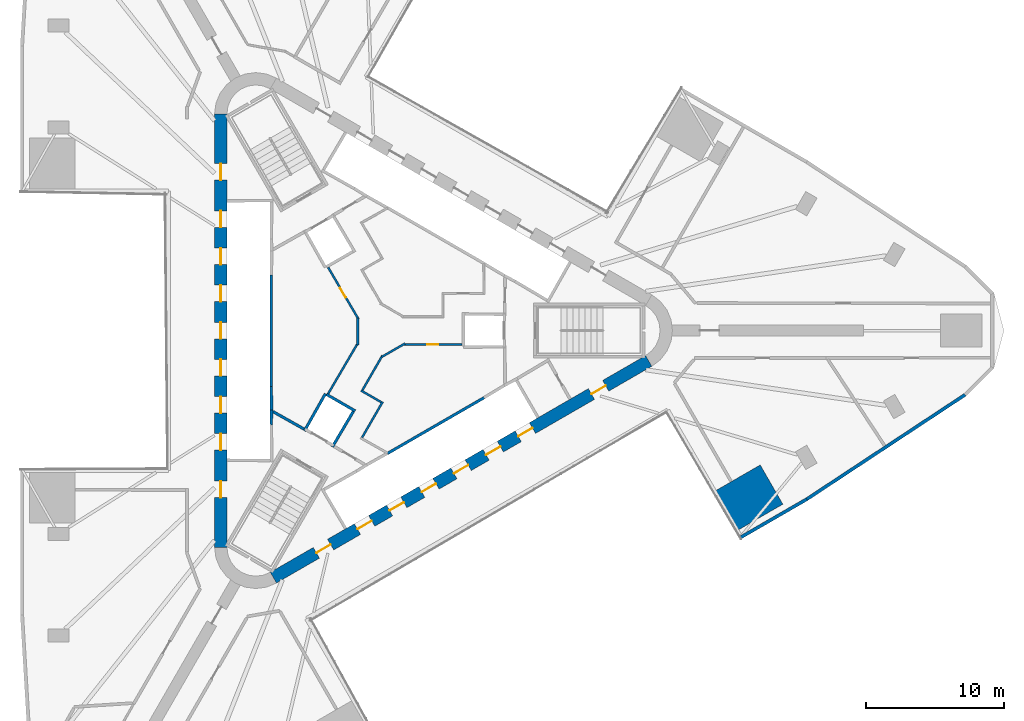
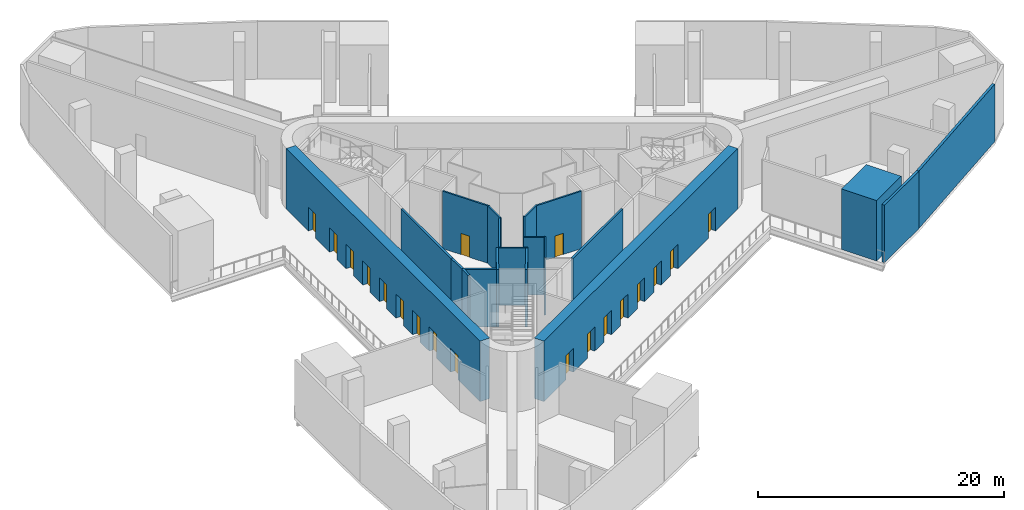
# One storey, part 4 of 11: 21 walls, 19 doors, 19 openings.
"""IFC4 building model written with IfcOpenShell, lengths in metres."""

from ifc_helpers import new_model, si_unit, direction, frame, frame_2d, origin, place, context, subcontext, project, spatial, polyline, rectangle, outline, extrude, material, layer, layer_set, type_object, element, fill, save


model = new_model("IFC4")

# Units and contexts
model_context = context("Model", 3, precision=1e-05, world=origin(), true_north=direction((0.0, 1.0)))
body_context = subcontext(model_context, "Body", "Model", "MODEL_VIEW")
ifc_project = project(units=[si_unit("LENGTHUNIT", "METRE"), si_unit("AREAUNIT", "SQUARE_METRE"), si_unit("VOLUMEUNIT", "CUBIC_METRE"), si_unit("PLANEANGLEUNIT", "RADIAN"), si_unit("MASSUNIT", "GRAM", prefix="KILO")], contexts=[model_context])

# Site, building, storey
site_placement = place(None, origin())
site = spatial("IfcSite", under=ifc_project, at=site_placement, CompositionType="ELEMENT")
building_placement = place(site_placement, origin())
building = spatial("IfcBuilding", under=site, at=building_placement, Name="Tanit Gate Tower", CompositionType="ELEMENT")
storey_placement = place(building_placement, frame((0.0, 0.0, 21.5)))
storey = spatial("IfcBuildingStorey", under=building, at=storey_placement, Name="L03", CompositionType="ELEMENT", Elevation=21.5)

# Wall, openings, doors
ifc_material_1 = material(Name="Concrete C60/75", Category="concrete")
ifc_layer_1 = layer(ifc_material_1, 0.89990234375)
ifc_layer_set_1 = layer_set([ifc_layer_1], Name="CORE WALL 900 C60/75")
wall_type_1 = type_object("IfcWallType", Name="CORE WALL 900 C60/75", PredefinedType="SHEAR", material=ifc_layer_set_1)
wall_1_placement = place(storey_placement, frame((-11.64990234375, 15.76171875, 0.0), z_axis=(0.0, 0.0, 1.0), x_axis=(0.0, -1.0, 0.0)))
wall_1 = element("IfcWall", 1, at=wall_1_placement, inside=storey, type_object=wall_type_1, Name="CORE WALL", PredefinedType="SHEAR", context=body_context, shape_type="SweptSolid", body=[
    extrude(rectangle(XDim=31.5234375, YDim=0.89990234375, at=frame_2d((15.76171875, 0.0))), origin(), (0.0, 0.0, 1.0), 6.0),
])
opening_1_placement = place(wall_1_placement, frame((7.061767578125, 0.0, 0.0)))
opening_1 = element("IfcOpeningElement", 2, at=opening_1_placement, cuts=wall_1, Name="Opening LDLL1-03", PredefinedType="OPENING", context=body_context, shape_type="SweptSolid", body=[
    extrude(rectangle(XDim=1.199951171875, YDim=2.39990234375, at=frame_2d((0.60009765625, 1.199951171875))), frame((0.0, 0.4599609375, 0.0), z_axis=(0.0, -1.0, 0.0), x_axis=(1.0, 0.0, 0.0)), (0.0, 0.0, 1.0), 0.919921875),
])
opening_2_placement = place(wall_1_placement, frame((9.76171875, 0.0, 0.0)))
opening_2 = element("IfcOpeningElement", 3, at=opening_2_placement, cuts=wall_1, Name="Opening LDLL2-03", PredefinedType="OPENING", context=body_context, shape_type="SweptSolid", body=[
    extrude(rectangle(XDim=1.199951171875, YDim=2.39990234375, at=frame_2d((0.60009765625, 1.199951171875))), frame((0.0, 0.4599609375, 0.0), z_axis=(0.0, -1.0, 0.0), x_axis=(1.0, 0.0, 0.0)), (0.0, 0.0, 1.0), 0.919921875),
])
opening_3_placement = place(wall_1_placement, frame((12.461669921875, 0.0, 0.0)))
opening_3 = element("IfcOpeningElement", 4, at=opening_3_placement, cuts=wall_1, Name="Opening LDLL3-03", PredefinedType="OPENING", context=body_context, shape_type="SweptSolid", body=[
    extrude(rectangle(XDim=1.199951171875, YDim=2.39990234375, at=frame_2d((0.60009765625, 1.199951171875))), frame((0.0, 0.4599609375, 0.0), z_axis=(0.0, -1.0, 0.0), x_axis=(1.0, 0.0, 0.0)), (0.0, 0.0, 1.0), 0.919921875),
])
opening_4_placement = place(wall_1_placement, frame((15.16162109375, 0.0, 0.0)))
opening_4 = element("IfcOpeningElement", 5, at=opening_4_placement, cuts=wall_1, Name="Opening LDLL4-03", PredefinedType="OPENING", context=body_context, shape_type="SweptSolid", body=[
    extrude(rectangle(XDim=1.199951171875, YDim=2.39990234375, at=frame_2d((0.60009765625, 1.199951171875))), frame((0.0, 0.4599609375, 0.0), z_axis=(0.0, -1.0, 0.0), x_axis=(1.0, 0.0, 0.0)), (0.0, 0.0, 1.0), 0.919921875),
])
opening_5_placement = place(wall_1_placement, frame((17.86181640625, 0.0, 0.0)))
opening_5 = element("IfcOpeningElement", 6, at=opening_5_placement, cuts=wall_1, Name="Opening LDLL5-03", PredefinedType="OPENING", context=body_context, shape_type="SweptSolid", body=[
    extrude(rectangle(XDim=1.199951171875, YDim=2.39990234375, at=frame_2d((0.60009765625, 1.199951171875))), frame((0.0, 0.4599609375, 0.0), z_axis=(0.0, -1.0, 0.0), x_axis=(1.0, 0.0, 0.0)), (0.0, 0.0, 1.0), 0.919921875),
])
opening_6_placement = place(wall_1_placement, frame((20.561767578125, 0.0, 0.0)))
opening_6 = element("IfcOpeningElement", 7, at=opening_6_placement, cuts=wall_1, Name="Opening LDLL6-03", PredefinedType="OPENING", context=body_context, shape_type="SweptSolid", body=[
    extrude(rectangle(XDim=1.199951171875, YDim=2.39990234375, at=frame_2d((0.60009765625, 1.199951171875))), frame((0.0, 0.4599609375, 0.0), z_axis=(0.0, -1.0, 0.0), x_axis=(1.0, 0.0, 0.0)), (0.0, 0.0, 1.0), 0.919921875),
])
opening_7_placement = place(wall_1_placement, frame((23.26171875, 0.0, 0.0)))
opening_7 = element("IfcOpeningElement", 8, at=opening_7_placement, cuts=wall_1, Name="Opening LDLL7-03", PredefinedType="OPENING", context=body_context, shape_type="SweptSolid", body=[
    extrude(rectangle(XDim=1.199951171875, YDim=2.39990234375, at=frame_2d((0.60009765625, 1.199951171875))), frame((0.0, 0.4599609375, 0.0), z_axis=(0.0, -1.0, 0.0), x_axis=(1.0, 0.0, 0.0)), (0.0, 0.0, 1.0), 0.919921875),
])
opening_8_placement = place(wall_1_placement, frame((3.61181640625, 0.0, 0.0)))
opening_8 = element("IfcOpeningElement", 9, at=opening_8_placement, cuts=wall_1, Name="Opening F12-03-FL2", PredefinedType="OPENING", context=body_context, shape_type="SweptSolid", body=[
    extrude(rectangle(XDim=1.199951171875, YDim=2.39990234375, at=frame_2d((0.60009765625, 1.199951171875))), frame((0.0, 0.4599609375, 0.0), z_axis=(0.0, -1.0, 0.0), x_axis=(1.0, 0.0, 0.0)), (0.0, 0.0, 1.0), 0.919921875),
])
opening_9_placement = place(wall_1_placement, frame((26.711669921875, 0.0, 0.0)))
opening_9 = element("IfcOpeningElement", 10, at=opening_9_placement, cuts=wall_1, Name="Opening F12-03-S3", PredefinedType="OPENING", context=body_context, shape_type="SweptSolid", body=[
    extrude(rectangle(XDim=1.199951171875, YDim=2.39990234375, at=frame_2d((0.60009765625, 1.199951171875))), frame((0.0, 0.4599609375, 0.0), z_axis=(0.0, -1.0, 0.0), x_axis=(1.0, 0.0, 0.0)), (0.0, 0.0, 1.0), 0.919921875),
])
ifc_material_2 = material(Name="Fire-rated steel door leaf", Category="steel")
door_type_1 = type_object("IfcDoorType", Name="INT-DOOR-FIRE-LOBBY-1200", OperationType="NOTDEFINED", PredefinedType="USERDEFINED", material=ifc_material_2)
door_1_placement = place(opening_8_placement, origin())
door_1 = element("IfcDoor", 11, at=door_1_placement, inside=storey, type_object=door_type_1, Name="Door F12-03-FL2", ObjectType="FIRE DOOR", OperationType="SINGLE_SWING_RIGHT", OverallHeight=2.39990234375, OverallWidth=1.199951171875, PredefinedType="USERDEFINED", context=body_context, shape_type="SweptSolid", body=[
    extrude(rectangle(XDim=1.199951171875, YDim=2.39990234375, at=frame_2d((0.60009765625, 1.199951171875))), frame((0.0, 0.02490234375, 0.0), z_axis=(0.0, -1.0, 0.0), x_axis=(1.0, 0.0, 0.0)), (0.0, 0.0, 1.0), 0.050048828125),
])
fill(opening_8, door_1)
door_2_placement = place(opening_9_placement, origin())
door_2 = element("IfcDoor", 12, at=door_2_placement, inside=storey, type_object=door_type_1, Name="Door F12-03-S3", ObjectType="FIRE DOOR", OperationType="SINGLE_SWING_LEFT", OverallHeight=2.39990234375, OverallWidth=1.199951171875, PredefinedType="USERDEFINED", context=body_context, shape_type="SweptSolid", body=[
    extrude(rectangle(XDim=1.199951171875, YDim=2.39990234375, at=frame_2d((0.60009765625, 1.199951171875))), frame((0.0, 0.02490234375, 0.0), z_axis=(0.0, -1.0, 0.0), x_axis=(1.0, 0.0, 0.0)), (0.0, 0.0, 1.0), 0.050048828125),
])
fill(opening_9, door_2)
ifc_material_3 = material(Name="Stainless steel sliding door leaf", Category="steel")
door_type_2 = type_object("IfcDoorType", Name="INT-DOOR-LANDING-1200", OperationType="NOTDEFINED", PredefinedType="USERDEFINED", material=ifc_material_3)
door_3_placement = place(opening_1_placement, origin())
door_3 = element("IfcDoor", 13, at=door_3_placement, inside=storey, type_object=door_type_2, Name="Door LDLL1-03", ObjectType="LANDING DOOR", OperationType="SLIDING_TO_LEFT", OverallHeight=2.39990234375, OverallWidth=1.199951171875, PredefinedType="USERDEFINED", context=body_context, shape_type="SweptSolid", body=[
    extrude(rectangle(XDim=1.199951171875, YDim=2.39990234375, at=frame_2d((0.60009765625, 1.199951171875))), frame((0.0, 0.02490234375, 0.0), z_axis=(0.0, -1.0, 0.0), x_axis=(1.0, 0.0, 0.0)), (0.0, 0.0, 1.0), 0.050048828125),
])
fill(opening_1, door_3)
door_4_placement = place(opening_2_placement, origin())
door_4 = element("IfcDoor", 14, at=door_4_placement, inside=storey, type_object=door_type_2, Name="Door LDLL2-03", ObjectType="LANDING DOOR", OperationType="SLIDING_TO_LEFT", OverallHeight=2.39990234375, OverallWidth=1.199951171875, PredefinedType="USERDEFINED", context=body_context, shape_type="SweptSolid", body=[
    extrude(rectangle(XDim=1.199951171875, YDim=2.39990234375, at=frame_2d((0.60009765625, 1.199951171875))), frame((0.0, 0.02490234375, 0.0), z_axis=(0.0, -1.0, 0.0), x_axis=(1.0, 0.0, 0.0)), (0.0, 0.0, 1.0), 0.050048828125),
])
fill(opening_2, door_4)
door_5_placement = place(opening_3_placement, origin())
door_5 = element("IfcDoor", 15, at=door_5_placement, inside=storey, type_object=door_type_2, Name="Door LDLL3-03", ObjectType="LANDING DOOR", OperationType="SLIDING_TO_LEFT", OverallHeight=2.39990234375, OverallWidth=1.199951171875, PredefinedType="USERDEFINED", context=body_context, shape_type="SweptSolid", body=[
    extrude(rectangle(XDim=1.199951171875, YDim=2.39990234375, at=frame_2d((0.60009765625, 1.199951171875))), frame((0.0, 0.02490234375, 0.0), z_axis=(0.0, -1.0, 0.0), x_axis=(1.0, 0.0, 0.0)), (0.0, 0.0, 1.0), 0.050048828125),
])
fill(opening_3, door_5)
door_6_placement = place(opening_4_placement, origin())
door_6 = element("IfcDoor", 16, at=door_6_placement, inside=storey, type_object=door_type_2, Name="Door LDLL4-03", ObjectType="LANDING DOOR", OperationType="SLIDING_TO_LEFT", OverallHeight=2.39990234375, OverallWidth=1.199951171875, PredefinedType="USERDEFINED", context=body_context, shape_type="SweptSolid", body=[
    extrude(rectangle(XDim=1.199951171875, YDim=2.39990234375, at=frame_2d((0.60009765625, 1.199951171875))), frame((0.0, 0.02490234375, 0.0), z_axis=(0.0, -1.0, 0.0), x_axis=(1.0, 0.0, 0.0)), (0.0, 0.0, 1.0), 0.050048828125),
])
fill(opening_4, door_6)
door_7_placement = place(opening_5_placement, origin())
door_7 = element("IfcDoor", 17, at=door_7_placement, inside=storey, type_object=door_type_2, Name="Door LDLL5-03", ObjectType="LANDING DOOR", OperationType="SLIDING_TO_LEFT", OverallHeight=2.39990234375, OverallWidth=1.199951171875, PredefinedType="USERDEFINED", context=body_context, shape_type="SweptSolid", body=[
    extrude(rectangle(XDim=1.199951171875, YDim=2.39990234375, at=frame_2d((0.60009765625, 1.199951171875))), frame((0.0, 0.02490234375, 0.0), z_axis=(0.0, -1.0, 0.0), x_axis=(1.0, 0.0, 0.0)), (0.0, 0.0, 1.0), 0.050048828125),
])
fill(opening_5, door_7)
door_8_placement = place(opening_6_placement, origin())
door_8 = element("IfcDoor", 18, at=door_8_placement, inside=storey, type_object=door_type_2, Name="Door LDLL6-03", ObjectType="LANDING DOOR", OperationType="SLIDING_TO_LEFT", OverallHeight=2.39990234375, OverallWidth=1.199951171875, PredefinedType="USERDEFINED", context=body_context, shape_type="SweptSolid", body=[
    extrude(rectangle(XDim=1.199951171875, YDim=2.39990234375, at=frame_2d((0.60009765625, 1.199951171875))), frame((0.0, 0.02490234375, 0.0), z_axis=(0.0, -1.0, 0.0), x_axis=(1.0, 0.0, 0.0)), (0.0, 0.0, 1.0), 0.050048828125),
])
fill(opening_6, door_8)
door_9_placement = place(opening_7_placement, origin())
door_9 = element("IfcDoor", 19, at=door_9_placement, inside=storey, type_object=door_type_2, Name="Door LDLL7-03", ObjectType="LANDING DOOR", OperationType="SLIDING_TO_LEFT", OverallHeight=2.39990234375, OverallWidth=1.199951171875, PredefinedType="USERDEFINED", context=body_context, shape_type="SweptSolid", body=[
    extrude(rectangle(XDim=1.199951171875, YDim=2.39990234375, at=frame_2d((0.60009765625, 1.199951171875))), frame((0.0, 0.02490234375, 0.0), z_axis=(0.0, -1.0, 0.0), x_axis=(1.0, 0.0, 0.0)), (0.0, 0.0, 1.0), 0.050048828125),
])
fill(opening_7, door_9)

wall_2_placement = place(storey_placement, frame((-7.824951171875, -17.969970703125, 0.0), z_axis=(0.0, 0.0, 1.0), x_axis=(0.866028369851, 0.499994862586, 0.0)))
wall_2 = element("IfcWall", 20, at=wall_2_placement, inside=storey, type_object=wall_type_1, Name="CORE WALL", PredefinedType="SHEAR", context=body_context, shape_type="SweptSolid", body=[
    extrude(rectangle(XDim=31.523193359375, YDim=0.89990234375, at=frame_2d((15.76171875, 0.0))), origin(), (0.0, 0.0, 1.0), 6.0),
])
opening_10_placement = place(wall_2_placement, frame((7.061767578125, 0.0, 0.0)))
opening_10 = element("IfcOpeningElement", 21, at=opening_10_placement, cuts=wall_2, Name="Opening LDSX1-03", PredefinedType="OPENING", context=body_context, shape_type="SweptSolid", body=[
    extrude(rectangle(XDim=1.199951171875, YDim=2.39990234375, at=frame_2d((0.60009765625, 1.199951171875))), frame((0.0, 0.4599609375, 0.0), z_axis=(0.0, -1.0, 0.0), x_axis=(1.0, 0.0, 0.0)), (0.0, 0.0, 1.0), 0.919921875),
])
opening_11_placement = place(wall_2_placement, frame((9.76171875, 0.0, 0.0)))
opening_11 = element("IfcOpeningElement", 22, at=opening_11_placement, cuts=wall_2, Name="Opening LDSX2-03", PredefinedType="OPENING", context=body_context, shape_type="SweptSolid", body=[
    extrude(rectangle(XDim=1.199951171875, YDim=2.39990234375, at=frame_2d((0.60009765625, 1.199951171875))), frame((0.0, 0.4599609375, 0.0), z_axis=(0.0, -1.0, 0.0), x_axis=(1.0, 0.0, 0.0)), (0.0, 0.0, 1.0), 0.919921875),
])
opening_12_placement = place(wall_2_placement, frame((12.461669921875, 0.0, 0.0)))
opening_12 = element("IfcOpeningElement", 23, at=opening_12_placement, cuts=wall_2, Name="Opening LDSX3-03", PredefinedType="OPENING", context=body_context, shape_type="SweptSolid", body=[
    extrude(rectangle(XDim=1.199951171875, YDim=2.39990234375, at=frame_2d((0.60009765625, 1.199951171875))), frame((0.0, 0.4599609375, 0.0), z_axis=(0.0, -1.0, 0.0), x_axis=(1.0, 0.0, 0.0)), (0.0, 0.0, 1.0), 0.919921875),
])
opening_13_placement = place(wall_2_placement, frame((15.16162109375, 0.0, 0.0)))
opening_13 = element("IfcOpeningElement", 24, at=opening_13_placement, cuts=wall_2, Name="Opening LDSX4-03", PredefinedType="OPENING", context=body_context, shape_type="SweptSolid", body=[
    extrude(rectangle(XDim=1.199951171875, YDim=2.39990234375, at=frame_2d((0.60009765625, 1.199951171875))), frame((0.0, 0.4599609375, 0.0), z_axis=(0.0, -1.0, 0.0), x_axis=(1.0, 0.0, 0.0)), (0.0, 0.0, 1.0), 0.919921875),
])
opening_14_placement = place(wall_2_placement, frame((17.861572265625, 0.0, 0.0)))
opening_14 = element("IfcOpeningElement", 25, at=opening_14_placement, cuts=wall_2, Name="Opening LDSV1-03", PredefinedType="OPENING", context=body_context, shape_type="SweptSolid", body=[
    extrude(rectangle(XDim=1.199951171875, YDim=2.39990234375, at=frame_2d((0.60009765625, 1.199951171875))), frame((0.0, 0.4599609375, 0.0), z_axis=(0.0, -1.0, 0.0), x_axis=(1.0, 0.0, 0.0)), (0.0, 0.0, 1.0), 0.919921875),
])
opening_15_placement = place(wall_2_placement, frame((20.561767578125, 0.0, 0.0)))
opening_15 = element("IfcOpeningElement", 26, at=opening_15_placement, cuts=wall_2, Name="Opening LDSV2-03", PredefinedType="OPENING", context=body_context, shape_type="SweptSolid", body=[
    extrude(rectangle(XDim=1.199951171875, YDim=2.39990234375, at=frame_2d((0.60009765625, 1.199951171875))), frame((0.0, 0.4599609375, 0.0), z_axis=(0.0, -1.0, 0.0), x_axis=(1.0, 0.0, 0.0)), (0.0, 0.0, 1.0), 0.919921875),
])
opening_16_placement = place(wall_2_placement, frame((26.711669921875, 0.0, 0.0)))
opening_16 = element("IfcOpeningElement", 27, at=opening_16_placement, cuts=wall_2, Name="Opening F12-03-S1", PredefinedType="OPENING", context=body_context, shape_type="SweptSolid", body=[
    extrude(rectangle(XDim=1.199951171875, YDim=2.39990234375, at=frame_2d((0.60009765625, 1.199951171875))), frame((0.0, 0.4599609375, 0.0), z_axis=(0.0, -1.0, 0.0), x_axis=(1.0, 0.0, 0.0)), (0.0, 0.0, 1.0), 0.919921875),
])
opening_17_placement = place(wall_2_placement, frame((3.611572265625, 0.0, 0.0)))
opening_17 = element("IfcOpeningElement", 28, at=opening_17_placement, cuts=wall_2, Name="Opening F12-03-FL3", PredefinedType="OPENING", context=body_context, shape_type="SweptSolid", body=[
    extrude(rectangle(XDim=1.199951171875, YDim=2.39990234375, at=frame_2d((0.60009765625, 1.199951171875))), frame((0.0, 0.4599609375, 0.0), z_axis=(0.0, -1.0, 0.0), x_axis=(1.0, 0.0, 0.0)), (0.0, 0.0, 1.0), 0.919921875),
])
door_10_placement = place(opening_16_placement, origin())
door_10 = element("IfcDoor", 29, at=door_10_placement, inside=storey, type_object=door_type_1, Name="Door F12-03-S1", ObjectType="FIRE DOOR", OperationType="SINGLE_SWING_LEFT", OverallHeight=2.39990234375, OverallWidth=1.199951171875, PredefinedType="USERDEFINED", context=body_context, shape_type="SweptSolid", body=[
    extrude(rectangle(XDim=1.199951171875, YDim=2.39990234375, at=frame_2d((0.60009765625, 1.199951171875))), frame((0.0, 0.02490234375, 0.0), z_axis=(0.0, -1.0, 0.0), x_axis=(1.0, 0.0, 0.0)), (0.0, 0.0, 1.0), 0.050048828125),
])
fill(opening_16, door_10)
door_11_placement = place(opening_17_placement, origin())
door_11 = element("IfcDoor", 30, at=door_11_placement, inside=storey, type_object=door_type_1, Name="Door F12-03-FL3", ObjectType="FIRE DOOR", OperationType="SINGLE_SWING_RIGHT", OverallHeight=2.39990234375, OverallWidth=1.199951171875, PredefinedType="USERDEFINED", context=body_context, shape_type="SweptSolid", body=[
    extrude(rectangle(XDim=1.199951171875, YDim=2.39990234375, at=frame_2d((0.60009765625, 1.199951171875))), frame((0.0, 0.02490234375, 0.0), z_axis=(0.0, -1.0, 0.0), x_axis=(1.0, 0.0, 0.0)), (0.0, 0.0, 1.0), 0.050048828125),
])
fill(opening_17, door_11)
door_12_placement = place(opening_10_placement, origin())
door_12 = element("IfcDoor", 31, at=door_12_placement, inside=storey, type_object=door_type_2, Name="Door LDSX1-03", ObjectType="LANDING DOOR", OperationType="SLIDING_TO_LEFT", OverallHeight=2.39990234375, OverallWidth=1.199951171875, PredefinedType="USERDEFINED", context=body_context, shape_type="SweptSolid", body=[
    extrude(rectangle(XDim=1.199951171875, YDim=2.39990234375, at=frame_2d((0.60009765625, 1.199951171875))), frame((0.0, 0.02490234375, 0.0), z_axis=(0.0, -1.0, 0.0), x_axis=(1.0, 0.0, 0.0)), (0.0, 0.0, 1.0), 0.050048828125),
])
fill(opening_10, door_12)
door_13_placement = place(opening_11_placement, origin())
door_13 = element("IfcDoor", 32, at=door_13_placement, inside=storey, type_object=door_type_2, Name="Door LDSX2-03", ObjectType="LANDING DOOR", OperationType="SLIDING_TO_LEFT", OverallHeight=2.39990234375, OverallWidth=1.199951171875, PredefinedType="USERDEFINED", context=body_context, shape_type="SweptSolid", body=[
    extrude(rectangle(XDim=1.199951171875, YDim=2.39990234375, at=frame_2d((0.60009765625, 1.199951171875))), frame((0.0, 0.02490234375, 0.0), z_axis=(0.0, -1.0, 0.0), x_axis=(1.0, 0.0, 0.0)), (0.0, 0.0, 1.0), 0.050048828125),
])
fill(opening_11, door_13)
door_14_placement = place(opening_12_placement, origin())
door_14 = element("IfcDoor", 33, at=door_14_placement, inside=storey, type_object=door_type_2, Name="Door LDSX3-03", ObjectType="LANDING DOOR", OperationType="SLIDING_TO_LEFT", OverallHeight=2.39990234375, OverallWidth=1.199951171875, PredefinedType="USERDEFINED", context=body_context, shape_type="SweptSolid", body=[
    extrude(rectangle(XDim=1.199951171875, YDim=2.39990234375, at=frame_2d((0.60009765625, 1.199951171875))), frame((0.0, 0.02490234375, 0.0), z_axis=(0.0, -1.0, 0.0), x_axis=(1.0, 0.0, 0.0)), (0.0, 0.0, 1.0), 0.050048828125),
])
fill(opening_12, door_14)
door_15_placement = place(opening_13_placement, origin())
door_15 = element("IfcDoor", 34, at=door_15_placement, inside=storey, type_object=door_type_2, Name="Door LDSX4-03", ObjectType="LANDING DOOR", OperationType="SLIDING_TO_LEFT", OverallHeight=2.39990234375, OverallWidth=1.199951171875, PredefinedType="USERDEFINED", context=body_context, shape_type="SweptSolid", body=[
    extrude(rectangle(XDim=1.199951171875, YDim=2.39990234375, at=frame_2d((0.60009765625, 1.199951171875))), frame((0.0, 0.02490234375, 0.0), z_axis=(0.0, -1.0, 0.0), x_axis=(1.0, 0.0, 0.0)), (0.0, 0.0, 1.0), 0.050048828125),
])
fill(opening_13, door_15)
door_16_placement = place(opening_14_placement, origin())
door_16 = element("IfcDoor", 35, at=door_16_placement, inside=storey, type_object=door_type_2, Name="Door LDSV1-03", ObjectType="LANDING DOOR", OperationType="SLIDING_TO_LEFT", OverallHeight=2.39990234375, OverallWidth=1.199951171875, PredefinedType="USERDEFINED", context=body_context, shape_type="SweptSolid", body=[
    extrude(rectangle(XDim=1.199951171875, YDim=2.39990234375, at=frame_2d((0.60009765625, 1.199951171875))), frame((0.0, 0.02490234375, 0.0), z_axis=(0.0, -1.0, 0.0), x_axis=(1.0, 0.0, 0.0)), (0.0, 0.0, 1.0), 0.050048828125),
])
fill(opening_14, door_16)
door_17_placement = place(opening_15_placement, origin())
door_17 = element("IfcDoor", 36, at=door_17_placement, inside=storey, type_object=door_type_2, Name="Door LDSV2-03", ObjectType="LANDING DOOR", OperationType="SLIDING_TO_LEFT", OverallHeight=2.39990234375, OverallWidth=1.199951171875, PredefinedType="USERDEFINED", context=body_context, shape_type="SweptSolid", body=[
    extrude(rectangle(XDim=1.199951171875, YDim=2.39990234375, at=frame_2d((0.60009765625, 1.199951171875))), frame((0.0, 0.02490234375, 0.0), z_axis=(0.0, -1.0, 0.0), x_axis=(1.0, 0.0, 0.0)), (0.0, 0.0, 1.0), 0.050048828125),
])
fill(opening_15, door_17)

# Walls
ifc_material_4 = material(Name="Concrete C30/37 with bronze anodised aluminium cladding", Category="concrete")
ifc_layer_2 = layer(ifc_material_4, 0.239990234375)
ifc_layer_set_2 = layer_set([ifc_layer_2], Name="Facade wall bronze clad 240")
wall_type_2 = type_object("IfcWallType", Name="Facade wall bronze clad 240", PredefinedType="SOLIDWALL", material=ifc_layer_set_2)
wall_3_placement = place(storey_placement, frame((26.1474609375, -15.0498046875, 0.0), z_axis=(0.0, 0.0, 1.0), x_axis=(0.865999312459, 0.500045188778, 0.0)))
element("IfcWall", 37, at=wall_3_placement, inside=storey, type_object=wall_type_2, Name="Bronze-clad facade wall L03 SE2b", PredefinedType="SOLIDWALL", context=body_context, shape_type="SweptSolid", body=[
    extrude(rectangle(XDim=5.56591796875, YDim=0.239990234375, at=frame_2d((2.782958984375, 0.0))), origin(), (0.0, 0.0, 1.0), 5.699951171875),
])
wall_4_placement = place(storey_placement, frame((30.967529296875, -12.2666015625, 0.0), z_axis=(0.0, 0.0, 1.0), x_axis=(0.834683405501, 0.550730072342, 0.0)))
element("IfcWall", 38, at=wall_4_placement, inside=storey, type_object=wall_type_2, Name="Bronze-clad facade wall L03 SE3", PredefinedType="SOLIDWALL", context=body_context, shape_type="SweptSolid", body=[
    extrude(rectangle(XDim=13.80126953125, YDim=0.239990234375, at=frame_2d((6.900634765625, 0.0))), origin(), (0.0, 0.0, 1.0), 5.699951171875),
])
ifc_material_5 = material(Name="Fire-rated gypsum board partition")
ifc_layer_3 = layer(ifc_material_5, 0.199951171875)
ifc_layer_set_3 = layer_set([ifc_layer_3], Name="INT-WALL-COMPARTMENT")
wall_type_3 = type_object("IfcWallType", Name="INT-WALL-COMPARTMENT", PredefinedType="PARTITIONING", material=ifc_layer_set_3)
wall_5_placement = place(storey_placement, frame((-7.84912109375, -5.893798828125, 0.0), z_axis=(0.0, 0.0, 1.0), x_axis=(0.871340486379, -0.490678873396, 0.0)))
element("IfcWall", 39, at=wall_5_placement, inside=storey, type_object=wall_type_3, Name="Wall Compartment W066", PredefinedType="PARTITIONING", context=body_context, shape_type="SweptSolid", body=[
    extrude(rectangle(XDim=2.580810546875, YDim=0.199951171875, at=frame_2d((1.29052734375, 0.0))), origin(), (0.0, 0.0, 1.0), 5.699951171875),
])

# Wall, opening, door
ifc_material_6 = material(Name="Fire-rated gypsum board partition")
ifc_layer_4 = layer(ifc_material_6, 0.14990234375)
ifc_layer_set_4 = layer_set([ifc_layer_4], Name="INT-WALL-RISER")
wall_type_4 = type_object("IfcWallType", Name="INT-WALL-RISER", PredefinedType="PLUMBINGWALL", material=ifc_layer_set_4)
wall_6_placement = place(storey_placement, frame((-1.6240234375, 0.814697265625, 0.0), z_axis=(0.0, 0.0, 1.0), x_axis=(-0.505868173579, 0.862610799237, 0.0)))
wall_6 = element("IfcWall", 40, at=wall_6_placement, inside=storey, type_object=wall_type_4, Name="Wall Riser W068", PredefinedType="PLUMBINGWALL", context=body_context, shape_type="SweptSolid", body=[
    extrude(rectangle(XDim=4.382568359375, YDim=0.14990234375, at=frame_2d((2.19140625, 0.0))), origin(), (0.0, 0.0, 1.0), 5.699951171875),
])
opening_18_placement = place(wall_6_placement, frame((1.855224609375, 0.0, 0.0)))
opening_18 = element("IfcOpeningElement", 41, at=opening_18_placement, cuts=wall_6, Name="Opening R08-03-10", PredefinedType="OPENING", context=body_context, shape_type="SweptSolid", body=[
    extrude(rectangle(XDim=0.800048828125, YDim=2.10009765625, at=frame_2d((0.39990234375, 1.050048828125))), frame((0.0, 0.0849609375, 0.0), z_axis=(0.0, -1.0, 0.0), x_axis=(1.0, 0.0, 0.0)), (0.0, 0.0, 1.0), 0.169921875),
])
ifc_material_7 = material(Name="Timber door leaf", Category="wood")
door_type_3 = type_object("IfcDoorType", Name="INT-DOOR-RISER-800", OperationType="NOTDEFINED", PredefinedType="USERDEFINED", material=ifc_material_7)
door_18_placement = place(opening_18_placement, origin())
door_18 = element("IfcDoor", 42, at=door_18_placement, inside=storey, type_object=door_type_3, Name="Door R08-03-10", ObjectType="FIRE DOOR", OperationType="SINGLE_SWING_RIGHT", OverallHeight=2.10009765625, OverallWidth=0.800048828125, PredefinedType="USERDEFINED", context=body_context, shape_type="SweptSolid", body=[
    extrude(rectangle(XDim=0.800048828125, YDim=2.10009765625, at=frame_2d((0.39990234375, 1.050048828125))), frame((0.0, 0.02490234375, 0.0), z_axis=(0.0, -1.0, 0.0), x_axis=(1.0, 0.0, 0.0)), (0.0, 0.0, 1.0), 0.050048828125),
])
fill(opening_18, door_18)

# Walls
wall_7_placement = place(storey_placement, frame((-1.688720703125, -1.052978515625, 0.0), z_axis=(0.0, 0.0, 1.0), x_axis=(0.0, 1.0, 0.0)))
element("IfcWall", 43, at=wall_7_placement, inside=storey, type_object=wall_type_4, Name="Wall Riser W069", PredefinedType="PLUMBINGWALL", context=body_context, shape_type="SweptSolid", body=[
    extrude(rectangle(XDim=1.954345703125, YDim=0.14990234375, at=frame_2d((0.97705078125, 0.0))), origin(), (0.0, 0.0, 1.0), 5.699951171875),
])
wall_8_placement = place(storey_placement, frame((-3.841064453125, -4.59521484375, 0.0), z_axis=(0.0, 0.0, 1.0), x_axis=(0.505857207696, 0.862617229959, 0.0)))
element("IfcWall", 44, at=wall_8_placement, inside=storey, type_object=wall_type_4, Name="Wall Riser W070", PredefinedType="PLUMBINGWALL", context=body_context, shape_type="SweptSolid", body=[
    extrude(rectangle(XDim=4.231201171875, YDim=0.14990234375, at=frame_2d((2.11572265625, 0.0))), origin(), (0.0, 0.0, 1.0), 5.699951171875),
])
wall_9_placement = place(storey_placement, frame((0.125732421875, -5.18212890625, 0.0), z_axis=(0.0, 0.0, 1.0), x_axis=(-0.499990139034, -0.866031096941, 0.0)))
element("IfcWall", 45, at=wall_9_placement, inside=storey, type_object=wall_type_4, Name="Wall Riser W072", PredefinedType="PLUMBINGWALL", context=body_context, shape_type="SweptSolid", body=[
    extrude(rectangle(XDim=3.0, YDim=0.14990234375, at=frame_2d((1.5, 0.0))), origin(), (0.0, 0.0, 1.0), 5.699951171875),
])
wall_10_placement = place(storey_placement, frame((-1.448974609375, -4.359619140625, 0.0), z_axis=(0.0, 0.0, 1.0), x_axis=(0.866025371046, -0.500000056704, 0.0)))
element("IfcWall", 46, at=wall_10_placement, inside=storey, type_object=wall_type_4, Name="Wall Riser W073", PredefinedType="PLUMBINGWALL", context=body_context, shape_type="SweptSolid", body=[
    extrude(rectangle(XDim=1.7001953125, YDim=0.14990234375, at=frame_2d((0.85009765625, 0.0))), origin(), (0.0, 0.0, 1.0), 5.699951171875),
])
wall_11_placement = place(storey_placement, frame((0.108154296875, -1.8125, 0.0), z_axis=(0.0, 0.0, 1.0), x_axis=(-0.49994762993, -0.866055637547, 0.0)))
element("IfcWall", 47, at=wall_11_placement, inside=storey, type_object=wall_type_4, Name="Wall Riser W074", PredefinedType="PLUMBINGWALL", context=body_context, shape_type="SweptSolid", body=[
    extrude(rectangle(XDim=2.909423828125, YDim=0.14990234375, at=frame_2d((1.45458984375, 0.0))), origin(), (0.0, 0.0, 1.0), 5.699951171875),
])
wall_12_placement = place(storey_placement, frame((1.756103515625, -0.93603515625, 0.0), z_axis=(0.0, 0.0, 1.0), x_axis=(-0.86601293162, -0.5000216018, 0.0)))
element("IfcWall", 48, at=wall_12_placement, inside=storey, type_object=wall_type_4, Name="Wall Riser W075", PredefinedType="PLUMBINGWALL", context=body_context, shape_type="SweptSolid", body=[
    extrude(rectangle(XDim=1.95458984375, YDim=0.14990234375, at=frame_2d((0.977294921875, 0.0))), origin(), (0.0, 0.0, 1.0), 5.699951171875),
])

# Wall, opening, door
wall_13_placement = place(storey_placement, frame((5.89990234375, -1.02880859375, 0.0), z_axis=(0.0, 0.0, 1.0), x_axis=(-0.999977210765, 0.00675114447, 0.0)))
wall_13 = element("IfcWall", 49, at=wall_13_placement, inside=storey, type_object=wall_type_4, Name="Wall Riser W076", PredefinedType="PLUMBINGWALL", context=body_context, shape_type="SweptSolid", body=[
    extrude(rectangle(XDim=4.23095703125, YDim=0.14990234375, at=frame_2d((2.115478515625, 0.0))), origin(), (0.0, 0.0, 1.0), 5.699951171875),
])
opening_19_placement = place(wall_13_placement, frame((1.715576171875, 0.0, 0.0)))
opening_19 = element("IfcOpeningElement", 50, at=opening_19_placement, cuts=wall_13, Name="Opening R08-03-11", PredefinedType="OPENING", context=body_context, shape_type="SweptSolid", body=[
    extrude(rectangle(XDim=0.800048828125, YDim=2.10009765625, at=frame_2d((0.39990234375, 1.050048828125))), frame((0.0, 0.0849609375, 0.0), z_axis=(0.0, -1.0, 0.0), x_axis=(1.0, 0.0, 0.0)), (0.0, 0.0, 1.0), 0.169921875),
])
door_19_placement = place(opening_19_placement, origin())
door_19 = element("IfcDoor", 51, at=door_19_placement, inside=storey, type_object=door_type_3, Name="Door R08-03-11", ObjectType="FIRE DOOR", OperationType="SINGLE_SWING_LEFT", OverallHeight=2.10009765625, OverallWidth=0.800048828125, PredefinedType="USERDEFINED", context=body_context, shape_type="SweptSolid", body=[
    extrude(rectangle(XDim=0.800048828125, YDim=2.10009765625, at=frame_2d((0.39990234375, 1.050048828125))), frame((0.0, 0.02490234375, 0.0), z_axis=(0.0, -1.0, 0.0), x_axis=(1.0, 0.0, 0.0)), (0.0, 0.0, 1.0), 0.050048828125),
])
fill(opening_19, door_19)

# Walls
ifc_material_8 = material(Name="Gypsum shaft wall system")
ifc_layer_5 = layer(ifc_material_8, 0.199951171875)
ifc_layer_set_5 = layer_set([ifc_layer_5], Name="INT-WALL-SHAFT")
wall_type_5 = type_object("IfcWallType", Name="INT-WALL-SHAFT", PredefinedType="PLUMBINGWALL", material=ifc_layer_set_5)
wall_14_placement = place(storey_placement, frame((-7.97998046875, 4.050048828125, 0.0), z_axis=(0.0, 0.0, 1.0), x_axis=(0.0, -1.0, 0.0)))
element("IfcWall", 52, at=wall_14_placement, inside=storey, type_object=wall_type_5, Name="Wall Shaft W006", PredefinedType="PLUMBINGWALL", context=body_context, shape_type="SweptSolid", body=[
    extrude(rectangle(XDim=8.10009765625, YDim=0.199951171875, at=frame_2d((4.050048828125, 0.0))), origin(), (0.0, 0.0, 1.0), 5.699951171875),
])
wall_15_placement = place(storey_placement, frame((-7.949951171875, -5.7724609375, 0.0), z_axis=(0.0, 0.0, 1.0), x_axis=(-0.030803413295, -0.999525462272, 0.0)))
element("IfcWall", 53, at=wall_15_placement, inside=storey, type_object=wall_type_5, Name="Wall Shaft W009", PredefinedType="PLUMBINGWALL", context=body_context, shape_type="SweptSolid", body=[
    extrude(rectangle(XDim=1.077880859375, YDim=0.199951171875, at=frame_2d((0.5390625, 0.0))), origin(), (0.0, 0.0, 1.0), 5.699951171875),
])
wall_16_placement = place(storey_placement, frame((-7.97998046875, -4.050048828125, 0.0), z_axis=(0.0, 0.0, 1.0), x_axis=(0.016809909365, -0.999858703491, 0.0)))
element("IfcWall", 54, at=wall_16_placement, inside=storey, type_object=wall_type_5, Name="Wall Shaft W010", PredefinedType="PLUMBINGWALL", context=body_context, shape_type="SweptSolid", body=[
    extrude(rectangle(XDim=1.844482421875, YDim=0.199951171875, at=frame_2d((0.92236328125, 0.0))), origin(), (0.0, 0.0, 1.0), 5.699951171875),
])
wall_17_placement = place(storey_placement, frame((0.482666015625, -8.935791015625, 0.0), z_axis=(0.0, 0.0, 1.0), x_axis=(0.866030989016, 0.499990325971, 0.0)))
element("IfcWall", 55, at=wall_17_placement, inside=storey, type_object=wall_type_5, Name="Wall Shaft W031", PredefinedType="PLUMBINGWALL", context=body_context, shape_type="SweptSolid", body=[
    extrude(rectangle(XDim=8.099853515625, YDim=0.199951171875, at=frame_2d((4.0498046875, 0.0))), origin(), (0.0, 0.0, 1.0), 5.699951171875),
])
wall_18_placement = place(storey_placement, frame((-5.5625, -7.29638671875, 0.0), z_axis=(0.0, 0.0, 1.0), x_axis=(0.491322718731, 0.870977603649, 0.0)))
element("IfcWall", 56, at=wall_18_placement, inside=storey, type_object=wall_type_5, Name="Wall Shaft W057", PredefinedType="PLUMBINGWALL", context=body_context, shape_type="SweptSolid", body=[
    extrude(rectangle(XDim=3.10009765625, YDim=0.199951171875, at=frame_2d((1.550048828125, 0.0))), origin(), (0.0, 0.0, 1.0), 5.699951171875),
])
wall_19_placement = place(storey_placement, frame((-3.95654296875, -4.643798828125, 0.0), z_axis=(0.0, 0.0, 1.0), x_axis=(0.865991127953, -0.500059362782, 0.0)))
element("IfcWall", 57, at=wall_19_placement, inside=storey, type_object=wall_type_5, Name="Wall Shaft W058", PredefinedType="PLUMBINGWALL", context=body_context, shape_type="SweptSolid", body=[
    extrude(rectangle(XDim=2.404541015625, YDim=0.199951171875, at=frame_2d((1.2021484375, 0.0))), origin(), (0.0, 0.0, 1.0), 5.699951171875),
])
wall_20_placement = place(storey_placement, frame((-2.01171875, -5.88232421875, 0.0), z_axis=(0.0, 0.0, 1.0), x_axis=(-0.508619639323, -0.860991325447, 0.0)))
element("IfcWall", 58, at=wall_20_placement, inside=storey, type_object=wall_type_5, Name="Wall Shaft W059", PredefinedType="PLUMBINGWALL", context=body_context, shape_type="SweptSolid", body=[
    extrude(rectangle(XDim=3.0, YDim=0.199951171875, at=frame_2d((1.5, 0.0))), origin(), (0.0, 0.0, 1.0), 5.699951171875),
])
ifc_material_9 = material(Name="Concrete C60/75", Category="concrete")
ifc_layer_6 = layer(ifc_material_9, 4.0)
ifc_layer_set_6 = layer_set([ifc_layer_6], Name="PIER WALL 4000 C60/75")
wall_type_6 = type_object("IfcWallType", Name="PIER WALL 4000 C60/75", PredefinedType="SHEAR", material=ifc_layer_set_6)
wall_21_placement = place(storey_placement, origin())
element("IfcWall", 59, at=wall_21_placement, inside=storey, type_object=wall_type_6, Name="PIER WALL", PredefinedType="SHEAR", context=body_context, shape_type="SweptSolid", body=[
    extrude(outline(polyline([(25.76708984375, -14.6298828125), (29.231201171875, -12.6298828125), (27.581298828125, -9.77197265625), (24.1171875, -11.77197265625), (25.76708984375, -14.6298828125)])), origin(), (0.0, 0.0, 1.0), 6.0),
])

save(model, "model.ifc")
